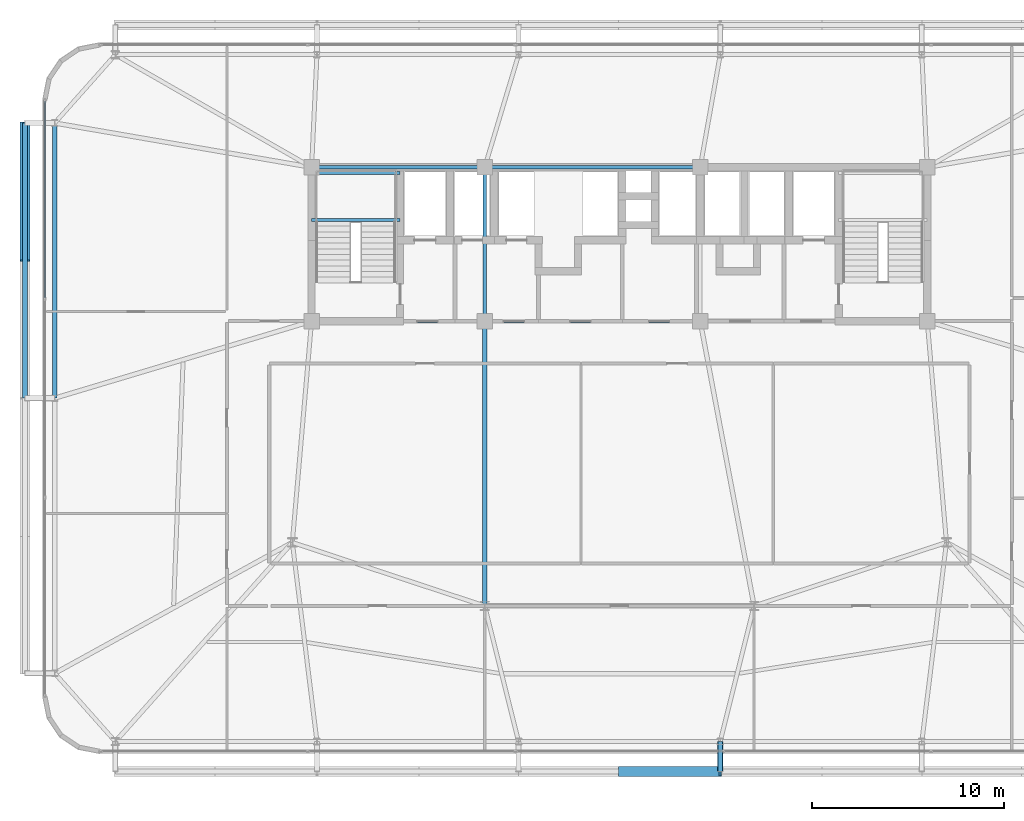
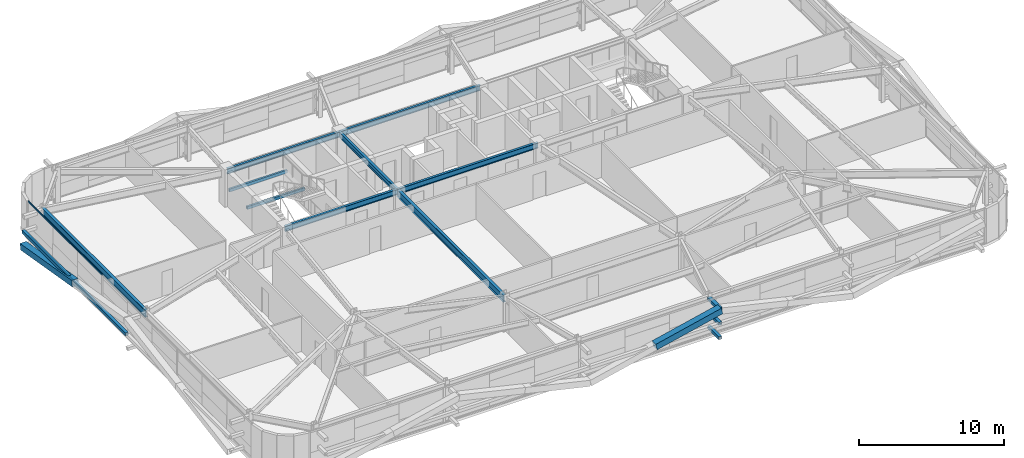
# One storey, part 12 of 44: 9 beams, 8 members, 1 element without a shape of its own.
"""IFC4 building model written with IfcOpenShell, lengths in metres."""

from ifc_helpers import new_model, si_unit, direction, frame, origin, origin_2d, place, context, subcontext, project, spatial, hollow_rectangle, i_section, extrude, source, transform, mapped, material, layer, layer_set, material_profile, profile_set, type_object, element, aggregate, save


model = new_model("IFC4")

# Units and contexts
model_context = context("Model", 3, precision=1e-05, world=origin(), true_north=direction((0.0, 1.0)))
body_context = subcontext(model_context, "Body", "Model", "MODEL_VIEW")
ifc_project = project(units=[si_unit("LENGTHUNIT", "METRE"), si_unit("AREAUNIT", "SQUARE_METRE"), si_unit("VOLUMEUNIT", "CUBIC_METRE"), si_unit("PLANEANGLEUNIT", "RADIAN"), si_unit("MASSUNIT", "GRAM", prefix="KILO")], contexts=[model_context])

# Site, building, storey
site_placement = place(None, origin())
site = spatial("IfcSite", under=ifc_project, at=site_placement, CompositionType="ELEMENT")
building_placement = place(site_placement, origin())
building = spatial("IfcBuilding", under=site, at=building_placement, Name="Taldren Reach Tower", CompositionType="ELEMENT")
storey_placement = place(building_placement, frame((0.0, 0.0, 42.0)))
storey = spatial("IfcBuildingStorey", under=building, at=storey_placement, Name="L12", CompositionType="ELEMENT", Elevation=42.0)

# Beams
ifc_material_1 = material(Name="Steel Gr 350 (350PLUS)", Category="steel")
ifc_material_profile_1 = material_profile(ifc_material_1, i_section(OverallWidth=0.19091796875, OverallDepth=0.4599609375, WebThickness=0.010009765625, FlangeThickness=0.01611328125, at=origin_2d()), Name="460UB82.1")
ifc_profile_set_1 = profile_set([ifc_material_profile_1], Name="Steel Gr 350 (350PLUS)")
beam_type_1 = type_object("IfcBeamType", Name="BM-UB460A", PredefinedType="BEAM", material=ifc_profile_set_1)
shared_shape_1 = source(origin(), body_context, "Body", "SweptSolid", [
    extrude(i_section(OverallWidth=0.19091796875, OverallDepth=0.4599609375, WebThickness=0.010009765625, FlangeThickness=0.01611328125, at=origin_2d()), origin(), (0.0, 0.0, 1.0), 9.0),
])
for number, where, z_axis, x_axis, name in (
    (1, (19.0, 24.0, 2.699951171875), (1.0, 0.0, 0.0), (0.0, 1.0, 0.0), "Core-spine girder L12-SP01"),
    (2, (19.0, 32.0, 2.699951171875), (1.0, 0.0, 0.0), (0.0, 1.0, 0.0), "Core-spine girder L12-SP04"),
):
    element("IfcBeam", number, at=place(storey_placement, frame(where, z_axis=z_axis, x_axis=x_axis)), inside=storey, type_object=beam_type_1, Name=name, PredefinedType="BEAM", context=body_context, shape_type="MappedRepresentation", body=[
        mapped(shared_shape_1, transform((0.0, 0.0, 0.0), scale=1.0)),
    ])
shared_shape_2 = source(origin(), body_context, "Body", "SweptSolid", [
    extrude(i_section(OverallWidth=0.19091796875, OverallDepth=0.4599609375, WebThickness=0.010009765625, FlangeThickness=0.01611328125, at=origin_2d()), origin(), (0.0, 0.0, 1.0), 11.199951171875),
])
for number, where, z_axis, x_axis, name in (
    (3, (28.0, 24.0, 2.699951171875), (1.0, 0.0, 0.0), (0.0, 1.0, 0.0), "Core-spine girder L12-SP02"),
    (4, (28.0, 32.0, 2.699951171875), (1.0, 0.0, 0.0), (0.0, 1.0, 0.0), "Core-spine girder L12-SP05"),
):
    element("IfcBeam", number, at=place(storey_placement, frame(where, z_axis=z_axis, x_axis=x_axis)), inside=storey, type_object=beam_type_1, Name=name, PredefinedType="BEAM", context=body_context, shape_type="MappedRepresentation", body=[
        mapped(shared_shape_2, transform((0.0, 0.0, 0.0), scale=1.0)),
    ])
shared_shape_3 = source(origin(), body_context, "Body", "SweptSolid", [
    extrude(i_section(OverallWidth=0.19091796875, OverallDepth=0.4599609375, WebThickness=0.010009765625, FlangeThickness=0.01611328125, at=origin_2d()), origin(), (0.0, 0.0, 1.0), 8.0),
])
beam_1_placement = place(storey_placement, frame((28.0, 24.0, 2.699951171875), z_axis=(0.0, 1.0, 0.0), x_axis=(-1.0, 0.0, 0.0)))
element("IfcBeam", 5, at=beam_1_placement, inside=storey, type_object=beam_type_1, Name="Core-spine girder L12-SP07", PredefinedType="BEAM", context=body_context, shape_type="MappedRepresentation", body=[
    mapped(shared_shape_3, transform((0.0, 0.0, 0.0), scale=1.0)),
])
ifc_material_profile_2 = material_profile(ifc_material_1, i_section(OverallWidth=0.22802734375, OverallDepth=0.60205078125, WebThickness=0.010498046875, FlangeThickness=0.014892578125, at=origin_2d()), Name="610UB101")
ifc_profile_set_2 = profile_set([ifc_material_profile_2], Name="Steel Gr 350 (350PLUS)")
beam_type_2 = type_object("IfcBeamType", Name="BM-UB610B", PredefinedType="BEAM", material=ifc_profile_set_2)
shared_shape_4 = source(origin(), body_context, "Body", "SweptSolid", [
    extrude(i_section(OverallWidth=0.22802734375, OverallDepth=0.60205078125, WebThickness=0.010498046875, FlangeThickness=0.014892578125, at=origin_2d()), origin(), (0.0, 0.0, 1.0), 14.800048828125),
])
beam_2_placement = place(storey_placement, frame((28.0, 24.0, 2.62890625), z_axis=(0.0, -1.0, 0.0), x_axis=(1.0, 0.0, 0.0)))
element("IfcBeam", 6, at=beam_2_placement, inside=storey, type_object=beam_type_2, Name="Core-spine girder L12-SP14", PredefinedType="BEAM", context=body_context, shape_type="MappedRepresentation", body=[
    mapped(shared_shape_4, transform((0.0, 0.0, 0.0), scale=1.0)),
])
shared_shape_5 = source(origin(), body_context, "Body", "SweptSolid", [
    extrude(i_section(OverallWidth=0.22802734375, OverallDepth=0.60205078125, WebThickness=0.010498046875, FlangeThickness=0.014892578125, at=origin_2d()), origin(), (0.0, 0.0, 1.0), 14.300048828125),
])
beam_3_placement = place(storey_placement, frame((5.64990234375, 34.300048828125, 2.62890625), z_axis=(0.0, -1.0, 0.0), x_axis=(1.0, 0.0, 0.0)))
element("IfcBeam", 7, at=beam_3_placement, inside=storey, type_object=beam_type_2, Name="Perimeter gable girder B1 W3-W2 L12", PredefinedType="BEAM", context=body_context, shape_type="MappedRepresentation", body=[
    mapped(shared_shape_5, transform((0.0, 0.0, 0.0), scale=1.0)),
])

# Members
ifc_material_2 = material(Name="Steel Gr 450 (C450L0)", Category="steel")
ifc_material_profile_3 = material_profile(ifc_material_2, hollow_rectangle(XDim=0.27490234375, YDim=0.27490234375, WallThickness=0.00927734375, at=origin_2d()), Name="275x275x9.3SHS")
ifc_profile_set_3 = profile_set([ifc_material_profile_3], Name="Steel Gr 450 (C450L0)")
member_type_1 = type_object("IfcMemberType", Name="MB-TIE273", PredefinedType="STRUT", material=ifc_profile_set_3)
shared_shape_6 = source(origin(), body_context, "Body", "SweptSolid", [
    extrude(hollow_rectangle(XDim=0.27490234375, YDim=0.27490234375, WallThickness=0.00927734375, at=origin_2d()), origin(), (0.0, 0.0, 1.0), 1.5498046875),
])
member_1_placement = place(storey_placement, frame((40.239990234375, 2.14990234375, 2.64990234375), z_axis=(0.0, -1.0, 0.0), x_axis=(1.0, 0.0, 0.0)))
element("IfcMember", 8, at=member_1_placement, inside=storey, type_object=member_type_1, Name="Exoskeleton diaphragm tie strut B1-S4 L12", PredefinedType="STRUT", context=body_context, shape_type="MappedRepresentation", body=[
    mapped(shared_shape_6, transform((0.0, 0.0, 0.0), scale=1.0)),
])
ifc_material_profile_4 = material_profile(ifc_material_2, hollow_rectangle(XDim=0.510009765625, YDim=0.510009765625, WallThickness=0.02001953125, at=origin_2d()), Name="510x510x20.0SHS")
ifc_profile_set_4 = profile_set([ifc_material_profile_4], Name="Steel Gr 450 (C450L0)")
member_type_2 = type_object("IfcMemberType", Name="MB-EXO508", PredefinedType="BRACE", material=ifc_profile_set_4)
shared_shape_7 = source(origin(), body_context, "Body", "SweptSolid", [
    extrude(hollow_rectangle(XDim=0.510009765625, YDim=0.510009765625, WallThickness=0.02001953125, at=origin_2d()), origin(), (0.0, 0.0, 1.0), 5.37890625),
])
member_2_placement = place(storey_placement, frame((35.0, 0.60009765625, 1.43505859375), z_axis=(0.974161966843, 0.0, 0.225850531007), x_axis=(0.0, 1.0, 0.0)))
element("IfcMember", 9, at=member_2_placement, inside=storey, type_object=member_type_2, Name="Exoskeleton Diagrid Brace B1-S3 L12", PredefinedType="BRACE", context=body_context, shape_type="MappedRepresentation", body=[
    mapped(shared_shape_7, transform((0.0, 0.0, 0.0), scale=1.0)),
])
ifc_material_3 = material(Name="Steel Gr 350 (C350L0)", Category="steel")
ifc_material_profile_5 = material_profile(ifc_material_3, hollow_rectangle(XDim=0.25, YDim=0.25, WallThickness=0.010009765625, at=origin_2d()), Name="250x250x10.0SHS")
ifc_profile_set_5 = profile_set([ifc_material_profile_5], Name="Steel Gr 350 (C350L0)")
member_type_3 = type_object("IfcMemberType", Name="MB-POST250", PredefinedType="POST", material=ifc_profile_set_5)
shared_shape_8 = source(origin(), body_context, "Body", "SweptSolid", [
    extrude(hollow_rectangle(XDim=0.25, YDim=0.25, WallThickness=0.010009765625, at=origin_2d()), origin(), (0.0, 0.0, 1.0), 1.5498046875),
])
for number, where, z_axis, x_axis, name in (
    (10, (40.239990234375, 2.14990234375, 0.219970703125), (0.0, -1.0, 0.0), (1.0, 0.0, 0.0), "Exoskeleton base diaphragm tie strut B1-S4 L12"),
    (11, (40.239990234375, 2.14990234375, 1.43505859375), (0.0, -1.0, 0.0), (1.0, 0.0, 0.0), "Exoskeleton mid-tier diaphragm tie B1-S4 L12"),
):
    element("IfcMember", number, at=place(storey_placement, frame(where, z_axis=z_axis, x_axis=x_axis)), inside=storey, type_object=member_type_3, Name=name, PredefinedType="POST", context=body_context, shape_type="MappedRepresentation", body=[
        mapped(shared_shape_8, transform((0.0, 0.0, 0.0), scale=1.0)),
    ])
shared_shape_9 = source(origin(), body_context, "Body", "SweptSolid", [
    extrude(hollow_rectangle(XDim=0.510009765625, YDim=0.510009765625, WallThickness=0.02001953125, at=origin_2d()), origin(), (0.0, 0.0, 1.0), 7.252685546875),
])
member_3_placement = place(storey_placement, frame((4.10009765625, 34.300048828125, 0.219970703125), z_axis=(0.0, -0.985865800628, 0.167536930711), x_axis=(1.0, 0.0, 0.0)))
element("IfcMember", 12, at=member_3_placement, inside=storey, type_object=member_type_2, Name="Exoskeleton Diagrid Brace B1-W2 L12", PredefinedType="BRACE", context=body_context, shape_type="MappedRepresentation", body=[
    mapped(shared_shape_9, transform((0.0, 0.0, 0.0), scale=1.0)),
])
shared_shape_10 = source(origin(), body_context, "Body", "SweptSolid", [
    extrude(hollow_rectangle(XDim=0.25, YDim=0.25, WallThickness=0.010009765625, at=origin_2d()), origin(), (0.0, 0.0, 1.0), 14.300048828125),
])
member_4_placement = place(storey_placement, frame((4.10009765625, 20.0, 1.43505859375), z_axis=(0.0, 1.0, 0.0), x_axis=(-1.0, 0.0, 0.0)))
element("IfcMember", 13, at=member_4_placement, inside=storey, type_object=member_type_3, Name="Exoskeleton mid-height ring chord B1-W2 L12", PredefinedType="POST", context=body_context, shape_type="MappedRepresentation", body=[
    mapped(shared_shape_10, transform((0.0, 0.0, 0.0), scale=1.0)),
])

# Curtain wall, members
ifc_material_4 = material(Name="Aluminium and Low-E Glass Unitised System", Category="aluminium")
ifc_layer = layer(ifc_material_4, 0.159912109375)
ifc_layer_set = layer_set([ifc_layer], Name="Aluminium and Low-E Glass Unitised System")
curtain_wall_type = type_object("IfcCurtainWallType", Name="CW-SYS-2", PredefinedType="NOTDEFINED", material=ifc_layer_set)
curtain_wall_placement = place(storey_placement, origin())
curtain_wall = element("IfcCurtainWall", 14, at=curtain_wall_placement, inside=storey, type_object=curtain_wall_type, Name="Unitised curtain wall CW-L12-W", PredefinedType="NOTDEFINED")
ifc_material_5 = material(Name="Anodised Aluminium 6063-T6", Category="aluminium")
ifc_material_profile_6 = material_profile(ifc_material_5, hollow_rectangle(XDim=0.054931640625, YDim=0.1201171875, WallThickness=0.0029296875, at=origin_2d()), Name="ALU-120x55x3RHS")
ifc_profile_set_6 = profile_set([ifc_material_profile_6], Name="Anodised Aluminium 6063-T6")
member_type_4 = type_object("IfcMemberType", Name="CW-TRN-135", PredefinedType="USERDEFINED", material=ifc_profile_set_6)
shared_shape_11 = source(origin(), body_context, "Body", "SweptSolid", [
    extrude(hollow_rectangle(XDim=0.054931640625, YDim=0.1201171875, WallThickness=0.0029296875, at=origin_2d()), origin(), (0.0, 0.0, 1.0), 10.23583984375),
])
member_5_placement = place(storey_placement, frame((5.139892578125, 35.43505859375, 0.027587890625), z_axis=(0.0, -1.0, 0.0), x_axis=(1.0, 0.0, 0.0)))
member_5 = element("IfcMember", 15, at=member_5_placement, type_object=member_type_4, Name="CW-2 transom 1.1", ObjectType="TRANSOM", PredefinedType="USERDEFINED", context=body_context, shape_type="MappedRepresentation", body=[
    mapped(shared_shape_11, transform((0.0, 0.0, 0.0), scale=1.0)),
])
member_6_placement = place(storey_placement, frame((5.139892578125, 35.43505859375, 2.902587890625), z_axis=(0.0, -1.0, 0.0), x_axis=(1.0, 0.0, 0.0)))
member_6 = element("IfcMember", 16, at=member_6_placement, type_object=member_type_4, Name="CW-2 transom 1.2", ObjectType="TRANSOM", PredefinedType="USERDEFINED", context=body_context, shape_type="MappedRepresentation", body=[
    mapped(shared_shape_11, transform((0.0, 0.0, 0.0), scale=1.0)),
])
aggregate(curtain_wall, [member_5, member_6])

# Beams
ifc_material_profile_7 = material_profile(ifc_material_3, hollow_rectangle(XDim=0.14990234375, YDim=0.25, WallThickness=0.009033203125, at=origin_2d()), Name="250x150x9.0RHS")
ifc_profile_set_7 = profile_set([ifc_material_profile_7], Name="Steel Gr 350 (C350L0)")
beam_type_3 = type_object("IfcBeamType", Name="LN-RHS250", PredefinedType="LINTEL", material=ifc_profile_set_7)
shared_shape_12 = source(origin(), body_context, "Body", "SweptSolid", [
    extrude(hollow_rectangle(XDim=0.14990234375, YDim=0.25, WallThickness=0.009033203125, at=origin_2d()), origin(), (0.0, 0.0, 1.0), 4.60009765625),
])
for number, where, z_axis, x_axis, name in (
    (17, (19.0, 29.2548828125, 1.27001953125), (1.0, 0.0, 0.0), (0.0, 1.0, 0.0), "Stair half-landing support beam ST1-L12-1"),
    (18, (19.0, 31.699951171875, 1.27001953125), (1.0, 0.0, 0.0), (0.0, 1.0, 0.0), "Stair half-landing support beam ST1-L12-2"),
):
    element("IfcBeam", number, at=place(storey_placement, frame(where, z_axis=z_axis, x_axis=x_axis)), inside=storey, type_object=beam_type_3, Name=name, PredefinedType="LINTEL", context=body_context, shape_type="MappedRepresentation", body=[
        mapped(shared_shape_12, transform((0.0, 0.0, 0.0), scale=1.0)),
    ])

save(model, "model.ifc")
